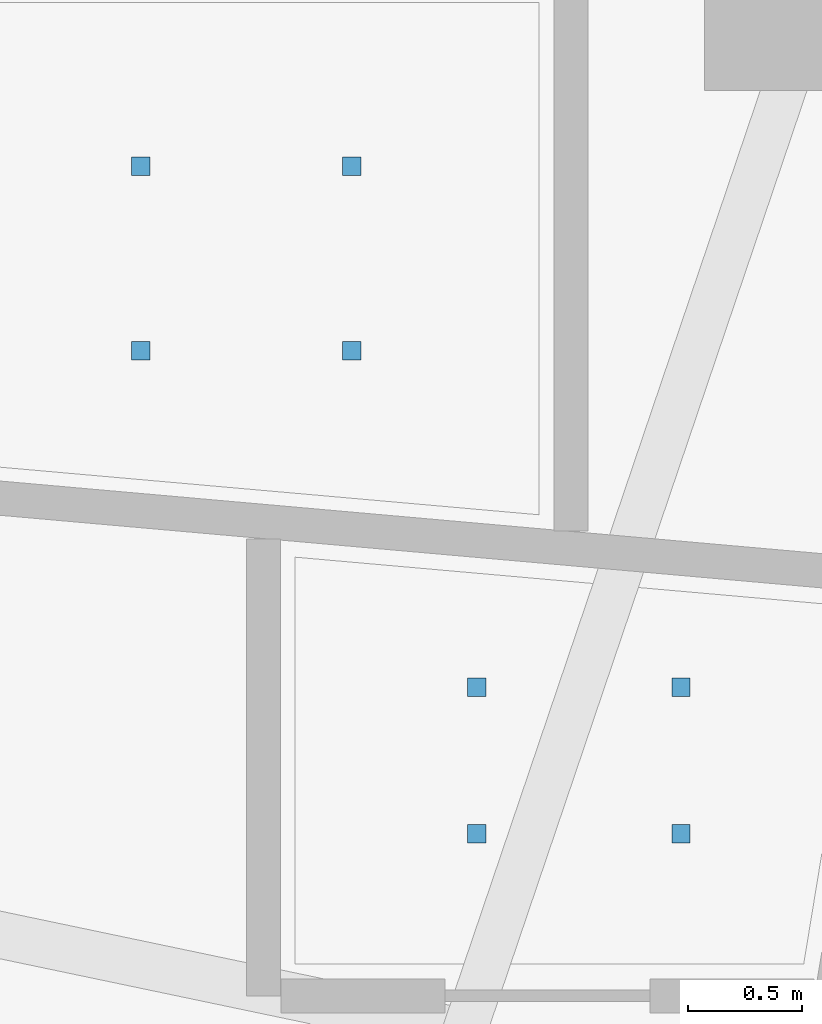
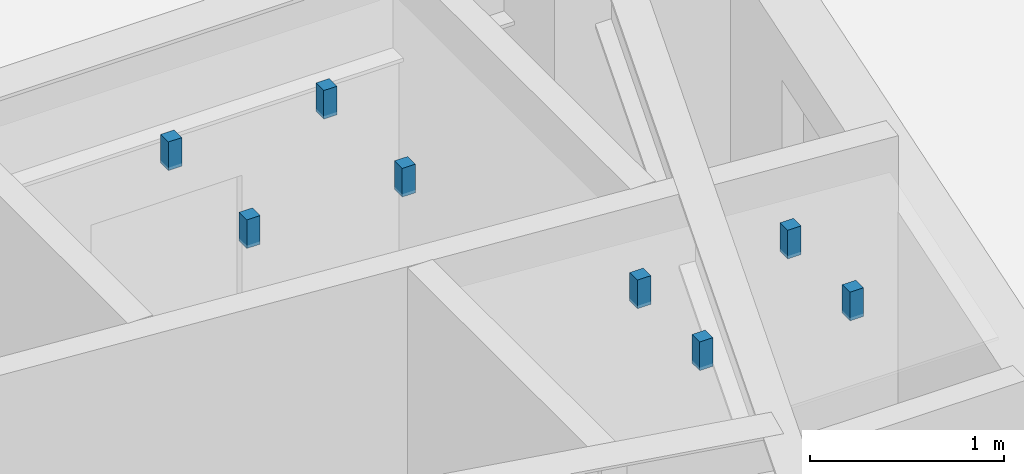
# One storey, part 9 of 14: 8 discrete accessories.
"""IFC4 building model written with IfcOpenShell, lengths in metres."""

from ifc_helpers import new_model, si_unit, direction, frame, origin, origin_2d, place, context, subcontext, project, spatial, rectangle, extrude, material, type_object, element, save


model = new_model("IFC4")

# Units and contexts
model_context = context("Model", 3, precision=1e-05, world=origin(), true_north=direction((0.0, 1.0)))
body_context = subcontext(model_context, "Body", "Model", "MODEL_VIEW")
ifc_project = project(units=[si_unit("LENGTHUNIT", "METRE"), si_unit("AREAUNIT", "SQUARE_METRE"), si_unit("VOLUMEUNIT", "CUBIC_METRE"), si_unit("PLANEANGLEUNIT", "RADIAN"), si_unit("MASSUNIT", "GRAM", prefix="KILO")], contexts=[model_context])

# Site, building, storey
site_placement = place(None, origin())
site = spatial("IfcSite", under=ifc_project, at=site_placement, CompositionType="ELEMENT")
building_placement = place(site_placement, origin())
building = spatial("IfcBuilding", under=site, at=building_placement, Name="Kolvaren Gate Tower and Convention Centre", CompositionType="ELEMENT")
storey_placement = place(building_placement, frame((0.0, 0.0, 132.5)))
storey = spatial("IfcBuildingStorey", under=building, at=storey_placement, Name="L33", CompositionType="ELEMENT", Elevation=132.5)

# Discrete accessories
ifc_material = material(Name="Brushed Stainless Steel Grade 316L", Category="steel")
discrete_accessory_type = type_object("IfcDiscreteAccessoryType", Name="ARCH-ACC-HANGER-80", PredefinedType="BRACKET", material=ifc_material)
for number, where, z_axis, x_axis, name in (
    (1, (51.93701171875, 23.2119140625, 2.9501953125), (0.0, 0.0, 1.0), (1.0, 0.0, 0.0), "En-suite Bathroom (HTL-L33-05) Ceiling Suspension Hanger Clip 1"),
    (2, (52.8330078125, 23.2119140625, 2.9501953125), (0.0, 0.0, 1.0), (1.0, 0.0, 0.0), "En-suite Bathroom (HTL-L33-05) Ceiling Suspension Hanger Clip 2"),
    (3, (51.93701171875, 23.85498046875, 2.9501953125), (0.0, 0.0, 1.0), (1.0, 0.0, 0.0), "En-suite Bathroom (HTL-L33-05) Ceiling Suspension Hanger Clip 3"),
    (4, (52.8330078125, 23.85498046875, 2.9501953125), (0.0, 0.0, 1.0), (1.0, 0.0, 0.0), "En-suite Bathroom (HTL-L33-05) Ceiling Suspension Hanger Clip 4"),
    (5, (50.4619140625, 25.33203125, 2.9501953125), (0.0, 0.0, 1.0), (1.0, 0.0, 0.0), "En-suite Bathroom (HTL-L33-07) Ceiling Suspension Hanger Clip 1"),
    (6, (51.387939453125, 25.33203125, 2.9501953125), (0.0, 0.0, 1.0), (1.0, 0.0, 0.0), "En-suite Bathroom (HTL-L33-07) Ceiling Suspension Hanger Clip 2"),
    (7, (50.4619140625, 26.14208984375, 2.9501953125), (0.0, 0.0, 1.0), (1.0, 0.0, 0.0), "En-suite Bathroom (HTL-L33-07) Ceiling Suspension Hanger Clip 3"),
    (8, (51.387939453125, 26.14208984375, 2.9501953125), (0.0, 0.0, 1.0), (1.0, 0.0, 0.0), "En-suite Bathroom (HTL-L33-07) Ceiling Suspension Hanger Clip 4"),
):
    element("IfcDiscreteAccessory", number, at=place(storey_placement, frame(where, z_axis=z_axis, x_axis=x_axis)), inside=storey, type_object=discrete_accessory_type, Name=name, PredefinedType="BRACKET", context=body_context, shape_type="SweptSolid", body=[
        extrude(rectangle(XDim=0.080078125, YDim=0.080078125, at=origin_2d()), origin(), (0.0, 0.0, 1.0), 0.179931640625),
    ])

save(model, "model.ifc")
